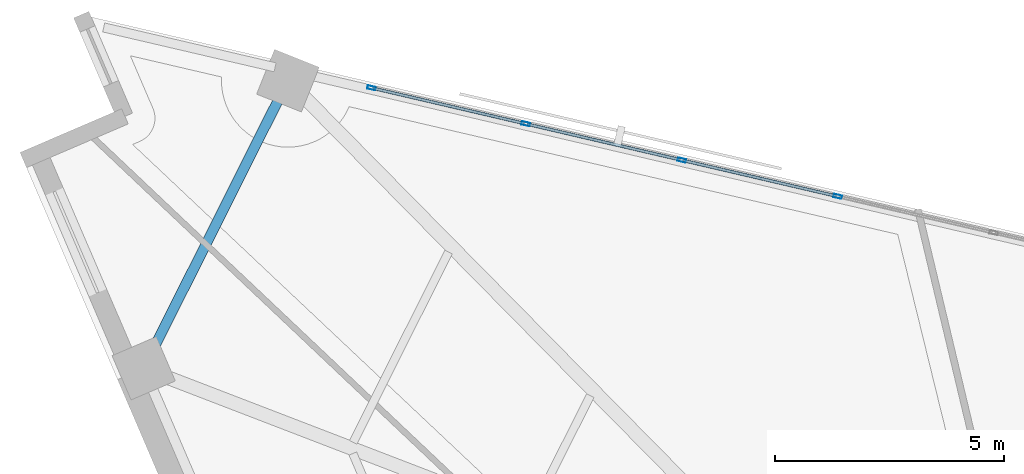
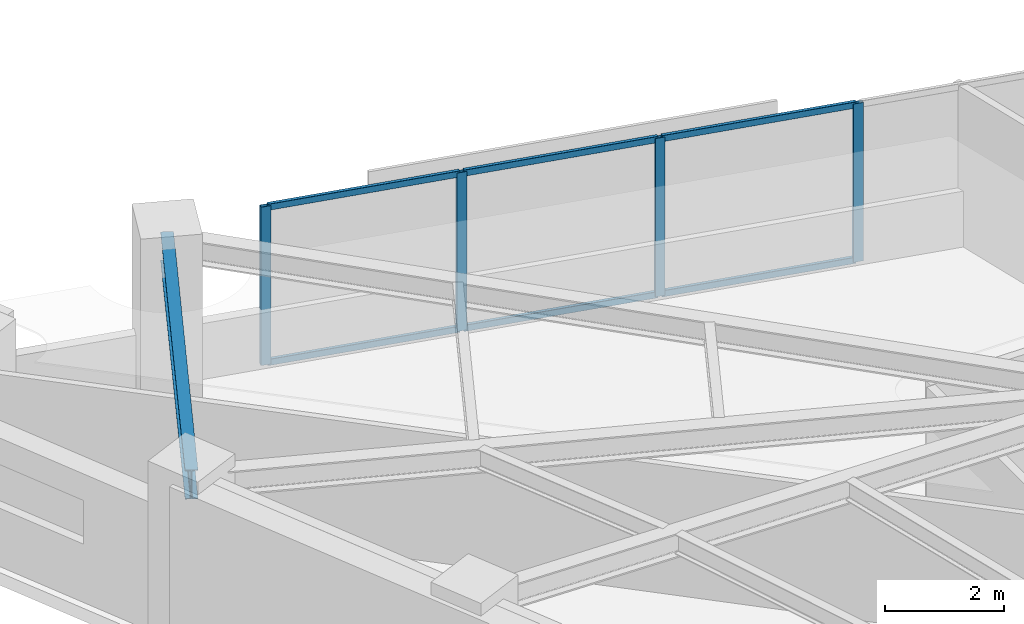
# One storey, part 6 of 15: 10 members, 1 beam, 1 element without a shape of its own.
"""IFC4 building model written with IfcOpenShell, lengths in metres."""

from ifc_helpers import new_model, si_unit, direction, frame, origin, origin_2d, place, context, subcontext, project, spatial, hollow_rectangle, i_section, extrude, material, material_profile, profile_set, type_object, element, aggregate, save


model = new_model("IFC4")

# Units and contexts
model_context = context("Model", 3, precision=1e-05, world=origin(), true_north=direction((0.0, 1.0)))
body_context = subcontext(model_context, "Body", "Model", "MODEL_VIEW")
ifc_project = project(units=[si_unit("LENGTHUNIT", "METRE"), si_unit("AREAUNIT", "SQUARE_METRE"), si_unit("VOLUMEUNIT", "CUBIC_METRE"), si_unit("PLANEANGLEUNIT", "RADIAN"), si_unit("MASSUNIT", "GRAM", prefix="KILO")], contexts=[model_context])

# Site, building, storey
site_placement = place(None, origin())
site = spatial("IfcSite", under=ifc_project, at=site_placement, CompositionType="ELEMENT")
building_placement = place(site_placement, origin())
building = spatial("IfcBuilding", under=site, at=building_placement, Name="Narakoshi Arena Tower", CompositionType="ELEMENT")
storey_placement = place(building_placement, frame((0.0, 0.0, 186.139892578125)))
storey = spatial("IfcBuildingStorey", under=building, at=storey_placement, Name="L50", CompositionType="ELEMENT", Elevation=186.139892578125)

# Beam
ifc_material_1 = material(Name="Structural steel S355J2", Category="steel")
ifc_material_profile_1 = material_profile(ifc_material_1, i_section(OverallWidth=0.219970703125, OverallDepth=0.60009765625, WebThickness=0.011962890625, FlangeThickness=0.01904296875, FilletRadius=0.02392578125, at=origin_2d()), Name="IPE600")
ifc_profile_set_1 = profile_set([ifc_material_profile_1], Name="Structural steel S355J2")
beam_type = type_object("IfcBeamType", Name="BM-EDGE-600", PredefinedType="BEAM", material=ifc_profile_set_1)
beam_placement = place(storey_placement, frame((60.12158203125, 68.55126953125, 2.960205078125), z_axis=(-0.448312643015, -0.893876822674, 0.0), x_axis=(0.893876822674, -0.448312643015, 0.0)))
element("IfcBeam", 1, at=beam_placement, inside=storey, type_object=beam_type, Name="L50 Perimeter Edge Girder 07", PredefinedType="BEAM", context=body_context, shape_type="SweptSolid", body=[
    extrude(i_section(OverallWidth=0.219970703125, OverallDepth=0.60009765625, WebThickness=0.011962890625, FlangeThickness=0.01904296875, FilletRadius=0.02392578125, at=origin_2d()), origin(), (0.0, 0.0, 1.0), 7.017333984375),
])

# Curtain wall, members
ifc_material_2 = material(Name="Anodised bronze aluminium 6063-T6", Category="aluminium")
curtain_wall_type = type_object("IfcCurtainWallType", Name="CW-HYP-MID", PredefinedType="NOTDEFINED", material=ifc_material_2)
curtain_wall_placement = place(storey_placement, origin())
curtain_wall = element("IfcCurtainWall", 2, at=curtain_wall_placement, inside=storey, type_object=curtain_wall_type, Name="L50 Folded Hypotenuse Curtain Wall 2-1", PredefinedType="NOTDEFINED")
ifc_material_profile_2 = material_profile(ifc_material_2, hollow_rectangle(XDim=0.074951171875, YDim=0.179931640625, WallThickness=0.00390625, OuterFilletRadius=0.0048828125, at=origin_2d()), Name="MUL180x75x4")
ifc_profile_set_2 = profile_set([ifc_material_profile_2], Name="Anodised bronze aluminium 6063-T6")
member_type_1 = type_object("IfcMemberType", Name="MEM-MUL-180", PredefinedType="MULLION", material=ifc_profile_set_2)
member_1_placement = place(storey_placement, frame((72.109619140625, 66.027587890625, 0.0), z_axis=(0.0, 0.0, 1.0), x_axis=(-0.226721182724, -0.973959704148, 0.0)))
member_1 = element("IfcMember", 3, at=member_1_placement, type_object=member_type_1, Name="CW-02 mullion 5", PredefinedType="MULLION", context=body_context, shape_type="SweptSolid", body=[
    extrude(hollow_rectangle(XDim=0.074951171875, YDim=0.179931640625, WallThickness=0.00390625, OuterFilletRadius=0.0048828125, at=origin_2d()), origin(), (0.0, 0.0, 1.0), 3.260009765625),
])
member_2_placement = place(storey_placement, frame((68.708740234375, 66.8193359375, 0.0), z_axis=(0.0, 0.0, 1.0), x_axis=(-0.226721182724, -0.973959704148, 0.0)))
member_2 = element("IfcMember", 4, at=member_2_placement, type_object=member_type_1, Name="CW-02 mullion 6", PredefinedType="MULLION", context=body_context, shape_type="SweptSolid", body=[
    extrude(hollow_rectangle(XDim=0.074951171875, YDim=0.179931640625, WallThickness=0.00390625, OuterFilletRadius=0.0048828125, at=origin_2d()), origin(), (0.0, 0.0, 1.0), 3.260009765625),
])
member_3_placement = place(storey_placement, frame((65.307861328125, 67.611083984375, 0.0), z_axis=(0.0, 0.0, 1.0), x_axis=(-0.226721182724, -0.973959704148, 0.0)))
member_3 = element("IfcMember", 5, at=member_3_placement, type_object=member_type_1, Name="CW-02 mullion 7", PredefinedType="MULLION", context=body_context, shape_type="SweptSolid", body=[
    extrude(hollow_rectangle(XDim=0.074951171875, YDim=0.179931640625, WallThickness=0.00390625, OuterFilletRadius=0.0048828125, at=origin_2d()), origin(), (0.0, 0.0, 1.0), 3.260009765625),
])
member_4_placement = place(storey_placement, frame((61.943359375, 68.394287109375, 0.0), z_axis=(0.0, 0.0, 1.0), x_axis=(-0.226721182724, -0.973959704148, 0.0)))
member_4 = element("IfcMember", 6, at=member_4_placement, type_object=member_type_1, Name="CW-02 mullion 8", PredefinedType="MULLION", context=body_context, shape_type="SweptSolid", body=[
    extrude(hollow_rectangle(XDim=0.074951171875, YDim=0.179931640625, WallThickness=0.00390625, OuterFilletRadius=0.0048828125, at=origin_2d()), origin(), (0.0, 0.0, 1.0), 3.260009765625),
])
ifc_material_profile_3 = material_profile(ifc_material_2, hollow_rectangle(XDim=0.06494140625, YDim=0.1298828125, WallThickness=0.00390625, OuterFilletRadius=0.0048828125, at=origin_2d()), Name="TRN130x65x4")
ifc_profile_set_3 = profile_set([ifc_material_profile_3], Name="Anodised bronze aluminium 6063-T6")
member_type_2 = type_object("IfcMemberType", Name="MEM-TRN-130", PredefinedType="USERDEFINED", material=ifc_profile_set_3)
member_5_placement = place(storey_placement, frame((72.072998046875, 66.0361328125, 0.03271484375), z_axis=(-0.973960713384, 0.226716847155, 0.0), x_axis=(-0.226716847155, -0.973960713384, 0.0)))
member_5 = element("IfcMember", 7, at=member_5_placement, type_object=member_type_2, Name="CW-02 transom 5.1", ObjectType="TRANSOM", PredefinedType="USERDEFINED", context=body_context, shape_type="SweptSolid", body=[
    extrude(hollow_rectangle(XDim=0.06494140625, YDim=0.1298828125, WallThickness=0.00390625, OuterFilletRadius=0.0048828125, at=origin_2d()), origin(), (0.0, 0.0, 1.0), 3.416748046875),
])
member_6_placement = place(storey_placement, frame((72.072998046875, 66.0361328125, 3.2275390625), z_axis=(-0.973960713384, 0.226716847155, 0.0), x_axis=(-0.226716847155, -0.973960713384, 0.0)))
member_6 = element("IfcMember", 8, at=member_6_placement, type_object=member_type_2, Name="CW-02 transom 5.2", ObjectType="TRANSOM", PredefinedType="USERDEFINED", context=body_context, shape_type="SweptSolid", body=[
    extrude(hollow_rectangle(XDim=0.06494140625, YDim=0.1298828125, WallThickness=0.00390625, OuterFilletRadius=0.0048828125, at=origin_2d()), origin(), (0.0, 0.0, 1.0), 3.416748046875),
])
member_7_placement = place(storey_placement, frame((68.672119140625, 66.827880859375, 0.03271484375), z_axis=(-0.973960713384, 0.226716847155, 0.0), x_axis=(-0.226716847155, -0.973960713384, 0.0)))
member_7 = element("IfcMember", 9, at=member_7_placement, type_object=member_type_2, Name="CW-02 transom 6.1", ObjectType="TRANSOM", PredefinedType="USERDEFINED", context=body_context, shape_type="SweptSolid", body=[
    extrude(hollow_rectangle(XDim=0.06494140625, YDim=0.1298828125, WallThickness=0.00390625, OuterFilletRadius=0.0048828125, at=origin_2d()), origin(), (0.0, 0.0, 1.0), 3.416748046875),
])
member_8_placement = place(storey_placement, frame((68.672119140625, 66.827880859375, 3.2275390625), z_axis=(-0.973960713384, 0.226716847155, 0.0), x_axis=(-0.226716847155, -0.973960713384, 0.0)))
member_8 = element("IfcMember", 10, at=member_8_placement, type_object=member_type_2, Name="CW-02 transom 6.2", ObjectType="TRANSOM", PredefinedType="USERDEFINED", context=body_context, shape_type="SweptSolid", body=[
    extrude(hollow_rectangle(XDim=0.06494140625, YDim=0.1298828125, WallThickness=0.00390625, OuterFilletRadius=0.0048828125, at=origin_2d()), origin(), (0.0, 0.0, 1.0), 3.416748046875),
])
member_9_placement = place(storey_placement, frame((65.271240234375, 67.61962890625, 0.03271484375), z_axis=(-0.97396204172, 0.226711140636, 0.0), x_axis=(-0.226711140636, -0.97396204172, 0.0)))
member_9 = element("IfcMember", 11, at=member_9_placement, type_object=member_type_2, Name="CW-02 transom 7.1", ObjectType="TRANSOM", PredefinedType="USERDEFINED", context=body_context, shape_type="SweptSolid", body=[
    extrude(hollow_rectangle(XDim=0.06494140625, YDim=0.1298828125, WallThickness=0.00390625, OuterFilletRadius=0.0048828125, at=origin_2d()), origin(), (0.0, 0.0, 1.0), 3.379150390625),
])
member_10_placement = place(storey_placement, frame((65.271240234375, 67.61962890625, 3.2275390625), z_axis=(-0.97396204172, 0.226711140636, 0.0), x_axis=(-0.226711140636, -0.97396204172, 0.0)))
member_10 = element("IfcMember", 12, at=member_10_placement, type_object=member_type_2, Name="CW-02 transom 7.2", ObjectType="TRANSOM", PredefinedType="USERDEFINED", context=body_context, shape_type="SweptSolid", body=[
    extrude(hollow_rectangle(XDim=0.06494140625, YDim=0.1298828125, WallThickness=0.00390625, OuterFilletRadius=0.0048828125, at=origin_2d()), origin(), (0.0, 0.0, 1.0), 3.379150390625),
])
aggregate(curtain_wall, [member_1, member_2, member_3, member_4, member_5, member_6, member_7, member_8, member_9, member_10])

save(model, "model.ifc")
